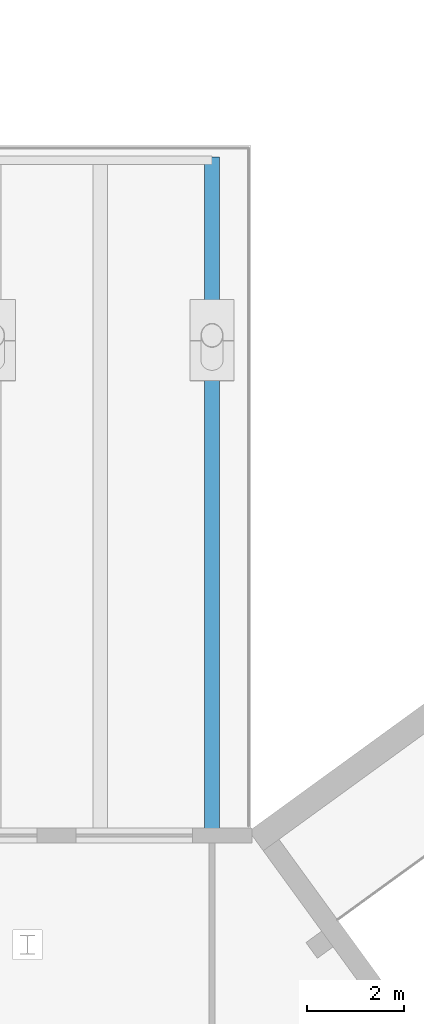
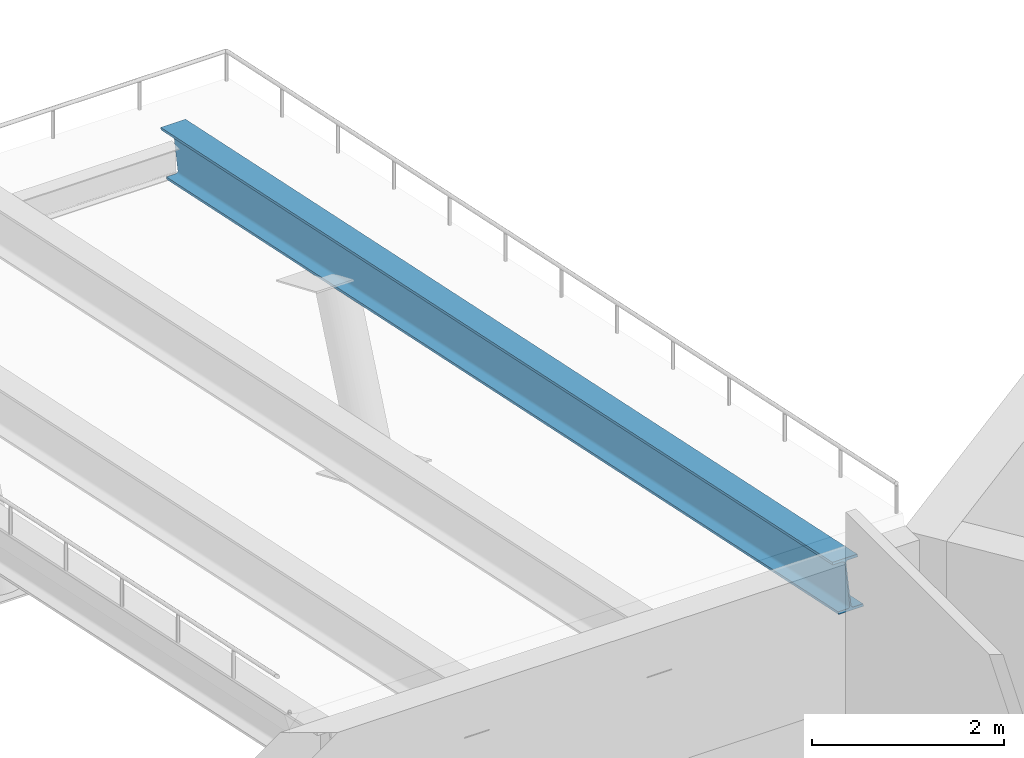
# One storey, part 91 of 182: 1 beam.
"""IFC4 building model written with IfcOpenShell, lengths in metres."""

from ifc_helpers import new_model, si_unit, direction, frame, origin, origin_2d, place, context, subcontext, project, spatial, i_section, extrude, material, material_profile, profile_set, type_object, element, save


model = new_model("IFC4")

# Units and contexts
model_context = context("Model", 3, precision=1e-05, world=origin(), true_north=direction((0.0, 1.0)))
body_context = subcontext(model_context, "Body", "Model", "MODEL_VIEW")
ifc_project = project(units=[si_unit("LENGTHUNIT", "METRE"), si_unit("AREAUNIT", "SQUARE_METRE"), si_unit("VOLUMEUNIT", "CUBIC_METRE"), si_unit("PLANEANGLEUNIT", "RADIAN"), si_unit("MASSUNIT", "GRAM", prefix="KILO")], contexts=[model_context])

# Site, building, storey
site_placement = place(None, origin())
site = spatial("IfcSite", under=ifc_project, at=site_placement, CompositionType="ELEMENT")
building_placement = place(site_placement, origin())
building = spatial("IfcBuilding", under=site, at=building_placement, Name="Okhra Congress Centre", CompositionType="ELEMENT")
storey_placement = place(building_placement, frame((0.0, 0.0, 7.199951171875)))
storey = spatial("IfcBuildingStorey", under=building, at=storey_placement, Name="L01", CompositionType="ELEMENT", Elevation=7.199951171875)

# Beam
ifc_material = material(Name="Steel S355J2", Category="steel")
ifc_material_profile = material_profile(ifc_material, i_section(OverallWidth=0.300048828125, OverallDepth=0.60009765625, WebThickness=0.015380859375, FlangeThickness=0.030029296875, FilletRadius=0.027099609375, at=origin_2d()), Name="HE 600 B")
ifc_profile_set = profile_set([ifc_material_profile], Name="Steel S355J2")
beam_type = type_object("IfcBeamType", Name="HE 600 B", PredefinedType="BEAM", material=ifc_profile_set)
beam_placement = place(storey_placement, frame((197.0, 199.699951171875, 4.48681640625), z_axis=(0.0, 0.978420335295, -0.206624411629), x_axis=(-1.0, 0.0, 0.0)))
element("IfcBeam", 1, at=beam_placement, inside=storey, type_object=beam_type, Name="North canopy beam 4", PredefinedType="BEAM", context=body_context, shape_type="SweptSolid", body=[
    extrude(i_section(OverallWidth=0.300048828125, OverallDepth=0.60009765625, WebThickness=0.015380859375, FlangeThickness=0.030029296875, FilletRadius=0.027099609375, at=origin_2d()), origin(), (0.0, 0.0, 1.0), 14.308837890625),
])

save(model, "model.ifc")
